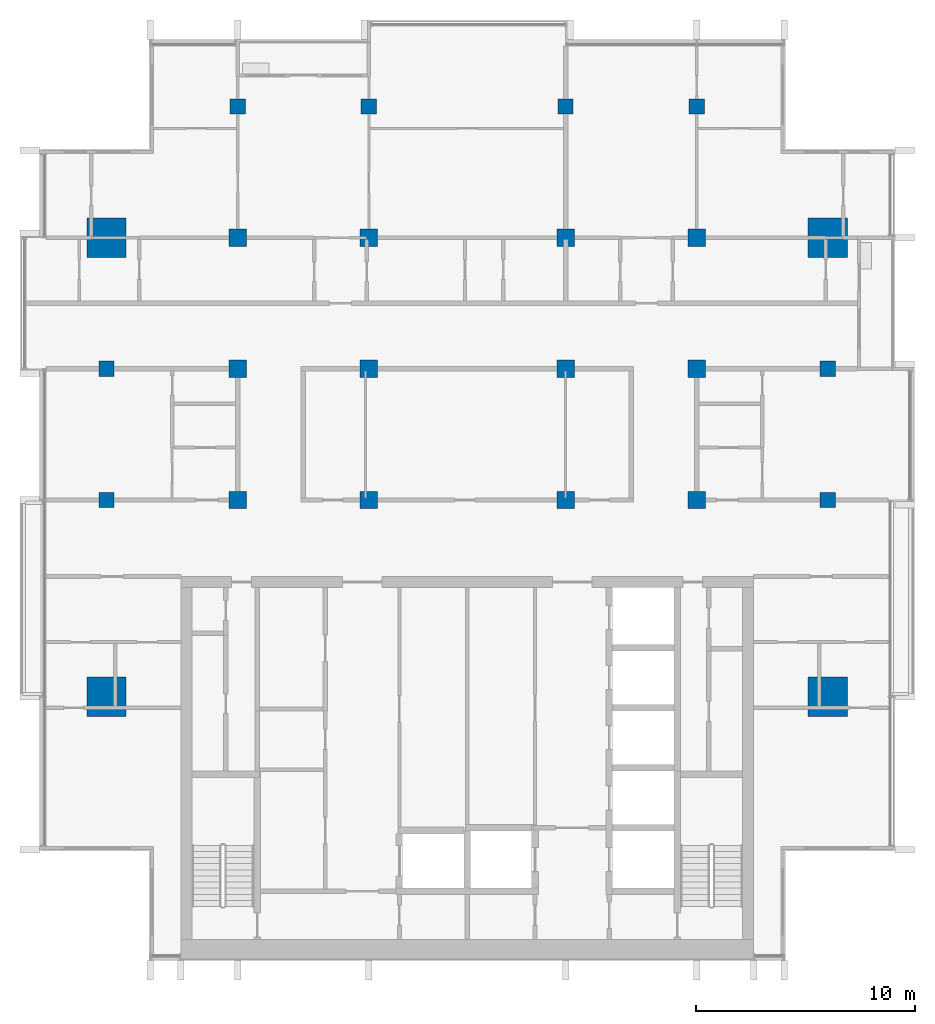
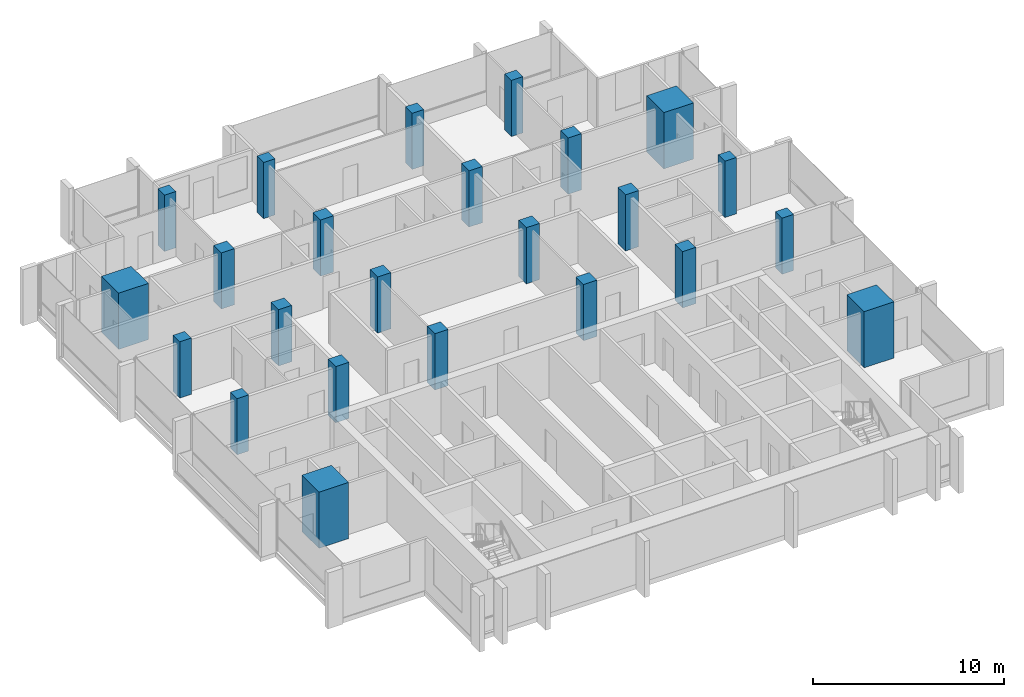
# One storey, part 1 of 16: 24 columns.
"""IFC4 building model written with IfcOpenShell, lengths in metres."""

from ifc_helpers import new_model, si_unit, direction, frame, origin, origin_2d, place, context, subcontext, project, spatial, rectangle, extrude, material, material_profile, profile_set, type_object, element, save


model = new_model("IFC4")

# Units and contexts
model_context = context("Model", 3, precision=1e-05, world=origin(), true_north=direction((0.0, 1.0)))
body_context = subcontext(model_context, "Body", "Model", "MODEL_VIEW")
ifc_project = project(units=[si_unit("LENGTHUNIT", "METRE"), si_unit("AREAUNIT", "SQUARE_METRE"), si_unit("VOLUMEUNIT", "CUBIC_METRE"), si_unit("PLANEANGLEUNIT", "RADIAN"), si_unit("MASSUNIT", "GRAM", prefix="KILO")], contexts=[model_context])

# Site, building, storey
site_placement = place(None, origin())
site = spatial("IfcSite", under=ifc_project, at=site_placement, CompositionType="ELEMENT")
building_placement = place(site_placement, origin())
building = spatial("IfcBuilding", under=site, at=building_placement, Name="Finial Court Residences", CompositionType="ELEMENT")
storey_placement = place(building_placement, frame((0.0, 0.0, 280.699951171875)))
storey = spatial("IfcBuildingStorey", under=building, at=storey_placement, Name="L71", CompositionType="ELEMENT", Elevation=280.699951171875)

# Columns
ifc_material = material(Name="Concrete C50/60", Category="concrete")
ifc_material_profile_1 = material_profile(ifc_material, rectangle(XDim=0.800048828125, YDim=0.800048828125, at=origin_2d()), Name="800x800")
ifc_profile_set_1 = profile_set([ifc_material_profile_1], Name="Concrete C50/60")
column_type_1 = type_object("IfcColumnType", Name="Interior column 800x800 Concrete C50/60", PredefinedType="COLUMN", material=ifc_profile_set_1)
for number, where, z_axis, x_axis, name in (
    (1, (-10.5, -4.5, 0.0), (0.0, 0.0, 1.0), (1.0, 0.0, 0.0), "S:COL:L71:D4"),
    (2, (-10.5, 1.5, 0.0), (0.0, 0.0, 1.0), (1.0, 0.0, 0.0), "S:COL:L71:D5"),
    (3, (-10.5, 7.5, 0.0), (0.0, 0.0, 1.0), (1.0, 0.0, 0.0), "S:COL:L71:D6"),
    (4, (-4.5, -4.5, 0.0), (0.0, 0.0, 1.0), (1.0, 0.0, 0.0), "S:COL:L71:E4"),
    (5, (-4.5, 1.5, 0.0), (0.0, 0.0, 1.0), (1.0, 0.0, 0.0), "S:COL:L71:E5"),
    (6, (-4.5, 7.5, 0.0), (0.0, 0.0, 1.0), (1.0, 0.0, 0.0), "S:COL:L71:E6"),
    (7, (4.5, -4.5, 0.0), (0.0, 0.0, 1.0), (1.0, 0.0, 0.0), "S:COL:L71:F4"),
    (8, (4.5, 1.5, 0.0), (0.0, 0.0, 1.0), (1.0, 0.0, 0.0), "S:COL:L71:F5"),
    (9, (4.5, 7.5, 0.0), (0.0, 0.0, 1.0), (1.0, 0.0, 0.0), "S:COL:L71:F6"),
    (10, (10.5, -4.5, 0.0), (0.0, 0.0, 1.0), (1.0, 0.0, 0.0), "S:COL:L71:G4"),
    (11, (10.5, 1.5, 0.0), (0.0, 0.0, 1.0), (1.0, 0.0, 0.0), "S:COL:L71:G5"),
    (12, (10.5, 7.5, 0.0), (0.0, 0.0, 1.0), (1.0, 0.0, 0.0), "S:COL:L71:G6"),
):
    element("IfcColumn", number, at=place(storey_placement, frame(where, z_axis=z_axis, x_axis=x_axis)), inside=storey, type_object=column_type_1, Name=name, PredefinedType="COLUMN", context=body_context, shape_type="SweptSolid", body=[
        extrude(rectangle(XDim=0.800048828125, YDim=0.800048828125, at=origin_2d()), origin(), (0.0, 0.0, 1.0), 3.60009765625),
    ])
ifc_material_profile_2 = material_profile(ifc_material, rectangle(XDim=1.800048828125, YDim=1.800048828125, at=origin_2d()), Name="1800x1800")
ifc_profile_set_2 = profile_set([ifc_material_profile_2], Name="Concrete C50/60")
column_type_2 = type_object("IfcColumnType", Name="Mega column 1800x1800 Concrete C50/60", PredefinedType="COLUMN", material=ifc_profile_set_2)
for number, where, z_axis, x_axis, name in (
    (13, (-16.5, -13.5, 0.0), (0.0, 0.0, 1.0), (1.0, 0.0, 0.0), "S:COL:L71:C3"),
    (14, (-16.5, 7.5, 0.0), (0.0, 0.0, 1.0), (1.0, 0.0, 0.0), "S:COL:L71:C6"),
    (15, (16.5, -13.5, 0.0), (0.0, 0.0, 1.0), (1.0, 0.0, 0.0), "S:COL:L71:H3"),
    (16, (16.5, 7.5, 0.0), (0.0, 0.0, 1.0), (1.0, 0.0, 0.0), "S:COL:L71:H6"),
):
    element("IfcColumn", number, at=place(storey_placement, frame(where, z_axis=z_axis, x_axis=x_axis)), inside=storey, type_object=column_type_2, Name=name, PredefinedType="COLUMN", context=body_context, shape_type="SweptSolid", body=[
        extrude(rectangle(XDim=1.800048828125, YDim=1.800048828125, at=origin_2d()), origin(), (0.0, 0.0, 1.0), 3.60009765625),
    ])
ifc_material_profile_3 = material_profile(ifc_material, rectangle(XDim=0.699951171875, YDim=0.699951171875, at=origin_2d()), Name="700x700")
ifc_profile_set_3 = profile_set([ifc_material_profile_3], Name="Concrete C50/60")
column_type_3 = type_object("IfcColumnType", Name="Perimeter column 700x700 Concrete C50/60", PredefinedType="COLUMN", material=ifc_profile_set_3)
for number, where, z_axis, x_axis, name in (
    (17, (-16.5, -4.5, 0.0), (0.0, 0.0, 1.0), (1.0, 0.0, 0.0), "S:COL:L71:C4"),
    (18, (-16.5, 1.5, 0.0), (0.0, 0.0, 1.0), (1.0, 0.0, 0.0), "S:COL:L71:C5"),
    (19, (-10.5, 13.5, 0.0), (0.0, 0.0, 1.0), (1.0, 0.0, 0.0), "S:COL:L71:D7"),
    (20, (-4.5, 13.5, 0.0), (0.0, 0.0, 1.0), (1.0, 0.0, 0.0), "S:COL:L71:E7"),
    (21, (4.5, 13.5, 0.0), (0.0, 0.0, 1.0), (1.0, 0.0, 0.0), "S:COL:L71:F7"),
    (22, (10.5, 13.5, 0.0), (0.0, 0.0, 1.0), (1.0, 0.0, 0.0), "S:COL:L71:G7"),
    (23, (16.5, -4.5, 0.0), (0.0, 0.0, 1.0), (1.0, 0.0, 0.0), "S:COL:L71:H4"),
    (24, (16.5, 1.5, 0.0), (0.0, 0.0, 1.0), (1.0, 0.0, 0.0), "S:COL:L71:H5"),
):
    element("IfcColumn", number, at=place(storey_placement, frame(where, z_axis=z_axis, x_axis=x_axis)), inside=storey, type_object=column_type_3, Name=name, PredefinedType="COLUMN", context=body_context, shape_type="SweptSolid", body=[
        extrude(rectangle(XDim=0.699951171875, YDim=0.699951171875, at=origin_2d()), origin(), (0.0, 0.0, 1.0), 3.60009765625),
    ])

save(model, "model.ifc")
